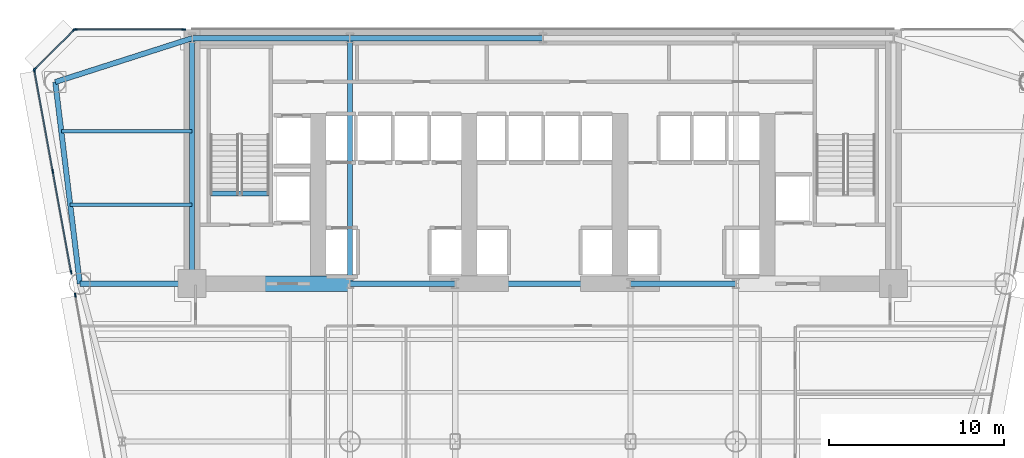
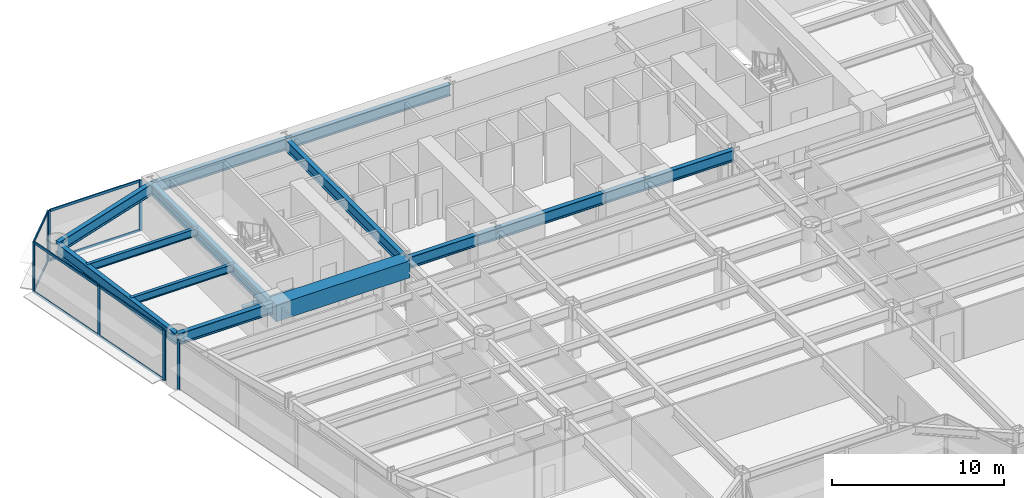
# One storey, part 5 of 14: 16 members, 14 beams, 4 elements without a shape of their own.
"""IFC4 building model written with IfcOpenShell, lengths in metres."""

from ifc_helpers import new_model, si_unit, direction, frame, origin, origin_2d, place, context, subcontext, project, spatial, rectangle, i_section, extrude, source, transform, mapped, material, layer, layer_set, material_profile, profile_set, type_object, element, aggregate, save


model = new_model("IFC4")

# Units and contexts
model_context = context("Model", 3, precision=1e-05, world=origin(), true_north=direction((0.0, 1.0)))
body_context = subcontext(model_context, "Body", "Model", "MODEL_VIEW")
ifc_project = project(units=[si_unit("LENGTHUNIT", "METRE"), si_unit("AREAUNIT", "SQUARE_METRE"), si_unit("VOLUMEUNIT", "CUBIC_METRE"), si_unit("PLANEANGLEUNIT", "RADIAN"), si_unit("MASSUNIT", "GRAM", prefix="KILO")], contexts=[model_context])

# Site, building, storey
site_placement = place(None, origin())
site = spatial("IfcSite", under=ifc_project, at=site_placement, CompositionType="ELEMENT")
building_placement = place(site_placement, origin())
building = spatial("IfcBuilding", under=site, at=building_placement, Name="Vaeldorn Concourse Tower", CompositionType="ELEMENT")
storey_placement = place(building_placement, frame((0.0, 0.0, 53.0)))
storey = spatial("IfcBuildingStorey", under=building, at=storey_placement, Name="L13", CompositionType="ELEMENT", Elevation=53.0)

# Beams
ifc_material_1 = material(Name="Concrete C60/75", Category="concrete")
ifc_material_profile_1 = material_profile(ifc_material_1, rectangle(XDim=0.89990234375, YDim=1.199951171875, at=origin_2d()), Name="RC 900x1200")
ifc_profile_set_1 = profile_set([ifc_material_profile_1], Name="Concrete C60/75")
beam_type_1 = type_object("IfcBeamType", Name="BM-CB-RC900", PredefinedType="BEAM", material=ifc_profile_set_1)
shared_shape_1 = source(origin(), body_context, "Body", "SweptSolid", [
    extrude(rectangle(XDim=0.89990234375, YDim=1.199951171875, at=origin_2d()), origin(), (0.0, 0.0, 1.0), 9.0),
])
beam_1_placement = place(storey_placement, frame((14.0, 36.5, 2.97998046875), z_axis=(1.0, 0.0, 0.0), x_axis=(0.0, 1.0, 0.0)))
element("IfcBeam", 1, at=beam_1_placement, inside=storey, type_object=beam_type_1, Name="Core Coupling Beam L13-1", PredefinedType="BEAM", context=body_context, shape_type="MappedRepresentation", body=[
    mapped(shared_shape_1, transform((0.0, 0.0, 0.0), scale=1.0)),
])
ifc_material_2 = material(Name="Steel S355", Category="steel")
ifc_material_profile_2 = material_profile(ifc_material_2, i_section(OverallWidth=0.300048828125, OverallDepth=0.340087890625, WebThickness=0.011962890625, FlangeThickness=0.021484375, FilletRadius=0.027099609375, at=origin_2d()), Name="HEB 340")
ifc_profile_set_2 = profile_set([ifc_material_profile_2], Name="Steel S355")
beam_type_2 = type_object("IfcBeamType", Name="BM-ST-TRIM", PredefinedType="BEAM", material=ifc_profile_set_2)
shared_shape_2 = source(origin(), body_context, "Body", "SweptSolid", [
    extrude(i_section(OverallWidth=0.300048828125, OverallDepth=0.340087890625, WebThickness=0.011962890625, FlangeThickness=0.021484375, FilletRadius=0.027099609375, at=origin_2d()), origin(), (0.0, 0.0, 1.0), 3.590087890625),
])
beam_2_placement = place(storey_placement, frame((14.929931640625, 41.639892578125, -0.389892578125), z_axis=(1.0, 0.0, 0.0), x_axis=(0.0, 1.0, 0.0)))
element("IfcBeam", 2, at=beam_2_placement, inside=storey, type_object=beam_type_2, Name="Stair Landing Trimmer Beam ST-1 L13", PredefinedType="BEAM", context=body_context, shape_type="MappedRepresentation", body=[
    mapped(shared_shape_2, transform((0.0, 0.0, 0.0), scale=1.0)),
])
ifc_material_profile_3 = material_profile(ifc_material_2, i_section(OverallWidth=0.300048828125, OverallDepth=0.800048828125, WebThickness=0.017578125, FlangeThickness=0.032958984375, FilletRadius=0.030029296875, at=origin_2d()), Name="HEB 800")
ifc_profile_set_3 = profile_set([ifc_material_profile_3], Name="Steel S355")
beam_type_3 = type_object("IfcBeamType", Name="BM-PG-HEB800", PredefinedType="BEAM", material=ifc_profile_set_3)
shared_shape_3 = source(origin(), body_context, "Body", "SweptSolid", [
    extrude(i_section(OverallWidth=0.300048828125, OverallDepth=0.800048828125, WebThickness=0.017578125, FlangeThickness=0.032958984375, FilletRadius=0.030029296875, at=origin_2d()), origin(), (0.0, 0.0, 1.0), 6.0),
])
for number, where, z_axis, x_axis, name in (
    (3, (23.0, 36.5, 3.179931640625), (1.0, 0.0, 0.0), (0.0, 1.0, 0.0), "Beam BM-L13-C-FC2-C-FC3"),
    (4, (39.0, 36.5, 3.179931640625), (1.0, 0.0, 0.0), (0.0, 1.0, 0.0), "Beam BM-L13-C-FC4-C-FC5"),
):
    element("IfcBeam", number, at=place(storey_placement, frame(where, z_axis=z_axis, x_axis=x_axis)), inside=storey, type_object=beam_type_3, Name=name, PredefinedType="BEAM", context=body_context, shape_type="MappedRepresentation", body=[
        mapped(shared_shape_3, transform((0.0, 0.0, 0.0), scale=1.0)),
    ])
shared_shape_4 = source(origin(), body_context, "Body", "SweptSolid", [
    extrude(i_section(OverallWidth=0.300048828125, OverallDepth=0.800048828125, WebThickness=0.017578125, FlangeThickness=0.032958984375, FilletRadius=0.030029296875, at=origin_2d()), origin(), (0.0, 0.0, 1.0), 10.0),
])
beam_3_placement = place(storey_placement, frame((29.0, 36.5, 3.179931640625), z_axis=(1.0, 0.0, 0.0), x_axis=(0.0, 1.0, 0.0)))
element("IfcBeam", 5, at=beam_3_placement, inside=storey, type_object=beam_type_3, Name="Beam BM-L13-C-FC3-C-FC4", PredefinedType="BEAM", context=body_context, shape_type="MappedRepresentation", body=[
    mapped(shared_shape_4, transform((0.0, 0.0, 0.0), scale=1.0)),
])
shared_shape_5 = source(origin(), body_context, "Body", "SweptSolid", [
    extrude(i_section(OverallWidth=0.300048828125, OverallDepth=0.800048828125, WebThickness=0.017578125, FlangeThickness=0.032958984375, FilletRadius=0.030029296875, at=origin_2d()), origin(), (0.0, 0.0, 1.0), 9.0),
])
beam_4_placement = place(storey_placement, frame((14.0, 50.5, 3.179931640625), z_axis=(1.0, 0.0, 0.0), x_axis=(0.0, 1.0, 0.0)))
element("IfcBeam", 6, at=beam_4_placement, inside=storey, type_object=beam_type_3, Name="Beam BM-L13-C-HC1-C-HC2", PredefinedType="BEAM", context=body_context, shape_type="MappedRepresentation", body=[
    mapped(shared_shape_5, transform((0.0, 0.0, 0.0), scale=1.0)),
])
shared_shape_6 = source(origin(), body_context, "Body", "SweptSolid", [
    extrude(i_section(OverallWidth=0.300048828125, OverallDepth=0.800048828125, WebThickness=0.017578125, FlangeThickness=0.032958984375, FilletRadius=0.030029296875, at=origin_2d()), origin(), (0.0, 0.0, 1.0), 11.0),
])
beam_5_placement = place(storey_placement, frame((23.0, 50.5, 3.179931640625), z_axis=(1.0, 0.0, 0.0), x_axis=(0.0, 1.0, 0.0)))
element("IfcBeam", 7, at=beam_5_placement, inside=storey, type_object=beam_type_3, Name="Beam BM-L13-C-HC2-C-HC3", PredefinedType="BEAM", context=body_context, shape_type="MappedRepresentation", body=[
    mapped(shared_shape_6, transform((0.0, 0.0, 0.0), scale=1.0)),
])
shared_shape_7 = source(origin(), body_context, "Body", "SweptSolid", [
    extrude(i_section(OverallWidth=0.300048828125, OverallDepth=0.800048828125, WebThickness=0.017578125, FlangeThickness=0.032958984375, FilletRadius=0.030029296875, at=origin_2d()), origin(), (0.0, 0.0, 1.0), 14.0),
])
for number, where, z_axis, x_axis, name in (
    (8, (14.0, 36.5, 3.179931640625), (0.0, 1.0, 0.0), (-1.0, 0.0, 0.0), "Beam BM-L13-C-FC1-C-HC1"),
    (9, (23.0, 36.5, 3.179931640625), (0.0, 1.0, 0.0), (-1.0, 0.0, 0.0), "Beam BM-L13-C-FC2-C-HC2"),
):
    element("IfcBeam", number, at=place(storey_placement, frame(where, z_axis=z_axis, x_axis=x_axis)), inside=storey, type_object=beam_type_3, Name=name, PredefinedType="BEAM", context=body_context, shape_type="MappedRepresentation", body=[
        mapped(shared_shape_7, transform((0.0, 0.0, 0.0), scale=1.0)),
    ])
shared_shape_8 = source(origin(), body_context, "Body", "SweptSolid", [
    extrude(i_section(OverallWidth=0.300048828125, OverallDepth=0.800048828125, WebThickness=0.017578125, FlangeThickness=0.032958984375, FilletRadius=0.030029296875, at=origin_2d()), origin(), (0.0, 0.0, 1.0), 8.19091796875),
])
beam_6_placement = place(storey_placement, frame((6.199951171875, 48.0, 3.179931640625), z_axis=(0.952282843383, 0.305216949396, 0.0), x_axis=(-0.305216949396, 0.952282843383, 0.0)))
element("IfcBeam", 10, at=beam_6_placement, inside=storey, type_object=beam_type_3, Name="Beam BM-L13-C-NW1-C-HC1", PredefinedType="BEAM", context=body_context, shape_type="MappedRepresentation", body=[
    mapped(shared_shape_8, transform((0.0, 0.0, 0.0), scale=1.0)),
])
shared_shape_9 = source(origin(), body_context, "Body", "SweptSolid", [
    extrude(i_section(OverallWidth=0.300048828125, OverallDepth=0.800048828125, WebThickness=0.017578125, FlangeThickness=0.032958984375, FilletRadius=0.030029296875, at=origin_2d()), origin(), (0.0, 0.0, 1.0), 11.5849609375),
])
beam_7_placement = place(storey_placement, frame((6.199951171875, 48.0, 3.179931640625), z_axis=(0.120859382899, -0.992669637677, 0.0), x_axis=(0.992669637677, 0.120859382899, 0.0)))
element("IfcBeam", 11, at=beam_7_placement, inside=storey, type_object=beam_type_3, Name="Beam BM-L13-C-NW1-C-NW2", PredefinedType="BEAM", context=body_context, shape_type="MappedRepresentation", body=[
    mapped(shared_shape_9, transform((0.0, 0.0, 0.0), scale=1.0)),
])
shared_shape_10 = source(origin(), body_context, "Body", "SweptSolid", [
    extrude(i_section(OverallWidth=0.300048828125, OverallDepth=0.800048828125, WebThickness=0.017578125, FlangeThickness=0.032958984375, FilletRadius=0.030029296875, at=origin_2d()), origin(), (0.0, 0.0, 1.0), 6.39990234375),
])
beam_8_placement = place(storey_placement, frame((7.60009765625, 36.5, 3.179931640625), z_axis=(1.0, 0.0, 0.0), x_axis=(0.0, 1.0, 0.0)))
element("IfcBeam", 12, at=beam_8_placement, inside=storey, type_object=beam_type_3, Name="Beam BM-L13-C-NW2-C-FC1", PredefinedType="BEAM", context=body_context, shape_type="MappedRepresentation", body=[
    mapped(shared_shape_10, transform((0.0, 0.0, 0.0), scale=1.0)),
])
ifc_material_profile_4 = material_profile(ifc_material_2, i_section(OverallWidth=0.2099609375, OverallDepth=0.550048828125, WebThickness=0.010986328125, FlangeThickness=0.01708984375, FilletRadius=0.02392578125, at=origin_2d()), Name="IPE 550")
ifc_profile_set_4 = profile_set([ifc_material_profile_4], Name="Steel S355")
beam_type_4 = type_object("IfcBeamType", Name="BM-JS-IPE550", PredefinedType="JOIST", material=ifc_profile_set_4)
shared_shape_11 = source(origin(), body_context, "Body", "SweptSolid", [
    extrude(i_section(OverallWidth=0.2099609375, OverallDepth=0.550048828125, WebThickness=0.010986328125, FlangeThickness=0.01708984375, FilletRadius=0.02392578125, at=origin_2d()), origin(), (0.0, 0.0, 1.0), 6.94775390625),
])
beam_9_placement = place(storey_placement, frame((7.05224609375, 41.0, 3.304931640625), z_axis=(1.0, 0.0, 0.0), x_axis=(0.0, 1.0, 0.0)))
element("IfcBeam", 13, at=beam_9_placement, inside=storey, type_object=beam_type_4, Name="Beam JS-L13-NW-410", PredefinedType="JOIST", context=body_context, shape_type="MappedRepresentation", body=[
    mapped(shared_shape_11, transform((0.0, 0.0, 0.0), scale=1.0)),
])
shared_shape_12 = source(origin(), body_context, "Body", "SweptSolid", [
    extrude(i_section(OverallWidth=0.2099609375, OverallDepth=0.550048828125, WebThickness=0.010986328125, FlangeThickness=0.01708984375, FilletRadius=0.02392578125, at=origin_2d()), origin(), (0.0, 0.0, 1.0), 7.458984375),
])
beam_10_placement = place(storey_placement, frame((6.541015625, 45.199951171875, 3.304931640625), z_axis=(1.0, 0.0, 0.0), x_axis=(0.0, 1.0, 0.0)))
element("IfcBeam", 14, at=beam_10_placement, inside=storey, type_object=beam_type_4, Name="Beam JS-L13-NW-452", PredefinedType="JOIST", context=body_context, shape_type="MappedRepresentation", body=[
    mapped(shared_shape_12, transform((0.0, 0.0, 0.0), scale=1.0)),
])

# Curtain wall, members
ifc_material_3 = material(Name="Anodised Bronze Aluminium", Category="aluminium")
ifc_layer = layer(ifc_material_3, 0.219970703125)
ifc_layer_set = layer_set([ifc_layer], Name="Anodised Bronze Aluminium")
curtain_wall_type = type_object("IfcCurtainWallType", Name="CW-SYS-01", PredefinedType="NOTDEFINED", material=ifc_layer_set)
curtain_wall_1_placement = place(storey_placement, origin())
curtain_wall_1 = element("IfcCurtainWall", 15, at=curtain_wall_1_placement, inside=storey, type_object=curtain_wall_type, Name="Unitised Curtain Wall CW-L13-E10-1", PredefinedType="NOTDEFINED")
ifc_material_profile_5 = material_profile(ifc_material_3, rectangle(XDim=0.074951171875, YDim=0.179931640625, at=origin_2d()), Name="CWT 75x180")
ifc_profile_set_5 = profile_set([ifc_material_profile_5], Name="Anodised Bronze Aluminium")
member_type_1 = type_object("IfcMemberType", Name="CWT-BRONZE-180", PredefinedType="USERDEFINED", material=ifc_profile_set_5)
shared_shape_13 = source(origin(), body_context, "Body", "SweptSolid", [
    extrude(rectangle(XDim=0.074951171875, YDim=0.179931640625, at=origin_2d()), origin(), (0.0, 0.0, 1.0), 3.10302734375),
])
member_1_placement = place(storey_placement, frame((7.2470703125, 50.947021484375, 0.03759765625), z_axis=(-0.707106781187, -0.707106781187, 0.0), x_axis=(0.707106781187, -0.707106781187, 0.0)))
member_1 = element("IfcMember", 16, at=member_1_placement, type_object=member_type_1, Name="CW-01 transom 1.1", ObjectType="TRANSOM", PredefinedType="USERDEFINED", context=body_context, shape_type="MappedRepresentation", body=[
    mapped(shared_shape_13, transform((0.0, 0.0, 0.0), scale=1.0)),
])
member_2_placement = place(storey_placement, frame((7.2470703125, 50.947021484375, 3.54248046875), z_axis=(-0.707106781187, -0.707106781187, 0.0), x_axis=(0.707106781187, -0.707106781187, 0.0)))
member_2 = element("IfcMember", 17, at=member_2_placement, type_object=member_type_1, Name="CW-01 transom 1.2", ObjectType="TRANSOM", PredefinedType="USERDEFINED", context=body_context, shape_type="MappedRepresentation", body=[
    mapped(shared_shape_13, transform((0.0, 0.0, 0.0), scale=1.0)),
])

curtain_wall_2_placement = place(storey_placement, origin())
curtain_wall_2 = element("IfcCurtainWall", 18, at=curtain_wall_2_placement, inside=storey, type_object=curtain_wall_type, Name="Unitised Curtain Wall CW-L13-E09-2", PredefinedType="NOTDEFINED")
shared_shape_14 = source(origin(), body_context, "Body", "SweptSolid", [
    extrude(rectangle(XDim=0.074951171875, YDim=0.179931640625, at=origin_2d()), origin(), (0.0, 0.0, 1.0), 6.10498046875),
])
member_3_placement = place(storey_placement, frame((13.47998046875, 51.0, 0.03759765625), z_axis=(-1.0, 0.0, 0.0), x_axis=(0.0, -1.0, 0.0)))
member_3 = element("IfcMember", 19, at=member_3_placement, type_object=member_type_1, Name="CW-01 transom 1.1", ObjectType="TRANSOM", PredefinedType="USERDEFINED", context=body_context, shape_type="MappedRepresentation", body=[
    mapped(shared_shape_14, transform((0.0, 0.0, 0.0), scale=1.0)),
])
member_4_placement = place(storey_placement, frame((13.47998046875, 51.0, 3.54248046875), z_axis=(-1.0, 0.0, 0.0), x_axis=(0.0, -1.0, 0.0)))
member_4 = element("IfcMember", 20, at=member_4_placement, type_object=member_type_1, Name="CW-01 transom 1.2", ObjectType="TRANSOM", PredefinedType="USERDEFINED", context=body_context, shape_type="MappedRepresentation", body=[
    mapped(shared_shape_14, transform((0.0, 0.0, 0.0), scale=1.0)),
])
ifc_material_profile_6 = material_profile(ifc_material_3, rectangle(XDim=0.074951171875, YDim=0.219970703125, at=origin_2d()), Name="CWM 75x220")
ifc_profile_set_6 = profile_set([ifc_material_profile_6], Name="Anodised Bronze Aluminium")
member_type_2 = type_object("IfcMemberType", Name="CWM-BRONZE-220", PredefinedType="MULLION", material=ifc_profile_set_6)
shared_shape_15 = source(origin(), body_context, "Body", "SweptSolid", [
    extrude(rectangle(XDim=0.074951171875, YDim=0.219970703125, at=origin_2d()), origin(), (0.0, 0.0, 1.0), 3.580078125),
])
member_5_placement = place(storey_placement, frame((13.517578125, 51.0, 0.0), z_axis=(0.0, 0.0, 1.0), x_axis=(0.0, -1.0, 0.0)))
member_5 = element("IfcMember", 21, at=member_5_placement, type_object=member_type_2, Name="CW-01 mullion 1", PredefinedType="MULLION", context=body_context, shape_type="MappedRepresentation", body=[
    mapped(shared_shape_15, transform((0.0, 0.0, 0.0), scale=1.0)),
])
member_6_placement = place(storey_placement, frame((7.33740234375, 51.0, 0.0), z_axis=(0.0, 0.0, 1.0), x_axis=(0.0, -1.0, 0.0)))
member_6 = element("IfcMember", 22, at=member_6_placement, type_object=member_type_2, Name="CW-01 mullion 2", PredefinedType="MULLION", context=body_context, shape_type="MappedRepresentation", body=[
    mapped(shared_shape_15, transform((0.0, 0.0, 0.0), scale=1.0)),
])
aggregate(curtain_wall_2, [member_5, member_6, member_3, member_4])

# Member
member_7_placement = place(storey_placement, frame((7.2734375, 50.973388671875, 0.0), z_axis=(0.0, 0.0, 1.0), x_axis=(0.707106781187, -0.707106781187, 0.0)))
member_7 = element("IfcMember", 23, at=member_7_placement, type_object=member_type_2, Name="CW-01 mullion 1", PredefinedType="MULLION", context=body_context, shape_type="MappedRepresentation", body=[
    mapped(shared_shape_15, transform((0.0, 0.0, 0.0), scale=1.0)),
])

member_8_placement = place(storey_placement, frame((5.026611328125, 48.7265625, 0.0), z_axis=(0.0, 0.0, 1.0), x_axis=(0.707106781187, -0.707106781187, 0.0)))
member_8 = element("IfcMember", 24, at=member_8_placement, type_object=member_type_2, Name="CW-01 mullion 2", PredefinedType="MULLION", context=body_context, shape_type="MappedRepresentation", body=[
    mapped(shared_shape_15, transform((0.0, 0.0, 0.0), scale=1.0)),
])

aggregate(curtain_wall_1, [member_7, member_8, member_1, member_2])

# Curtain wall, members
curtain_wall_3_placement = place(storey_placement, origin())
curtain_wall_3 = element("IfcCurtainWall", 25, at=curtain_wall_3_placement, inside=storey, type_object=curtain_wall_type, Name="Unitised Curtain Wall CW-L13-E11-1", PredefinedType="NOTDEFINED")
member_9_placement = place(storey_placement, frame((5.0068359375, 48.6630859375, 0.0), z_axis=(0.0, 0.0, 1.0), x_axis=(0.983812226103, 0.179202410057, 0.0)))
member_9 = element("IfcMember", 26, at=member_9_placement, type_object=member_type_2, Name="CW-01 mullion 1", PredefinedType="MULLION", context=body_context, shape_type="MappedRepresentation", body=[
    mapped(shared_shape_15, transform((0.0, 0.0, 0.0), scale=1.0)),
])
member_10_placement = place(storey_placement, frame((6.0546875, 42.90966796875, 0.0), z_axis=(0.0, 0.0, 1.0), x_axis=(0.983812226103, 0.179202410057, 0.0)))
member_10 = element("IfcMember", 27, at=member_10_placement, type_object=member_type_2, Name="CW-01 mullion 2", PredefinedType="MULLION", context=body_context, shape_type="MappedRepresentation", body=[
    mapped(shared_shape_15, transform((0.0, 0.0, 0.0), scale=1.0)),
])
member_11_placement = place(storey_placement, frame((7.102783203125, 37.156494140625, 0.0), z_axis=(0.0, 0.0, 1.0), x_axis=(0.983812226103, 0.179202410057, 0.0)))
member_11 = element("IfcMember", 28, at=member_11_placement, type_object=member_type_2, Name="CW-01 mullion 3", PredefinedType="MULLION", context=body_context, shape_type="MappedRepresentation", body=[
    mapped(shared_shape_15, transform((0.0, 0.0, 0.0), scale=1.0)),
])

# Curtain wall, member
curtain_wall_4_placement = place(storey_placement, origin())
curtain_wall_4 = element("IfcCurtainWall", 29, at=curtain_wall_4_placement, inside=storey, type_object=curtain_wall_type, Name="Unitised Curtain Wall CW-L13-E11-2", PredefinedType="NOTDEFINED")
member_12_placement = place(storey_placement, frame((7.341796875, 35.843505859375, 0.0), z_axis=(0.0, 0.0, 1.0), x_axis=(0.983811609564, 0.179205794791, 0.0)))
member_12 = element("IfcMember", 30, at=member_12_placement, type_object=member_type_2, Name="CW-01 mullion 1", PredefinedType="MULLION", context=body_context, shape_type="MappedRepresentation", body=[
    mapped(shared_shape_15, transform((0.0, 0.0, 0.0), scale=1.0)),
])
aggregate(curtain_wall_4, [member_12])

# Member
shared_shape_16 = source(origin(), body_context, "Body", "SweptSolid", [
    extrude(rectangle(XDim=0.074951171875, YDim=0.179931640625, at=origin_2d()), origin(), (0.0, 0.0, 1.0), 5.77294921875),
])
member_13_placement = place(storey_placement, frame((6.0615234375, 42.872802734375, 0.03759765625), z_axis=(0.179186879905, -0.98381505481, 0.0), x_axis=(0.98381505481, 0.179186879905, 0.0)))
member_13 = element("IfcMember", 31, at=member_13_placement, type_object=member_type_1, Name="CW-01 transom 2.1", ObjectType="TRANSOM", PredefinedType="USERDEFINED", context=body_context, shape_type="MappedRepresentation", body=[
    mapped(shared_shape_16, transform((0.0, 0.0, 0.0), scale=1.0)),
])

member_14_placement = place(storey_placement, frame((6.0615234375, 42.872802734375, 3.54248046875), z_axis=(0.179186879905, -0.98381505481, 0.0), x_axis=(0.98381505481, 0.179186879905, 0.0)))
member_14 = element("IfcMember", 32, at=member_14_placement, type_object=member_type_1, Name="CW-01 transom 2.2", ObjectType="TRANSOM", PredefinedType="USERDEFINED", context=body_context, shape_type="MappedRepresentation", body=[
    mapped(shared_shape_16, transform((0.0, 0.0, 0.0), scale=1.0)),
])

shared_shape_17 = source(origin(), body_context, "Body", "SweptSolid", [
    extrude(rectangle(XDim=0.074951171875, YDim=0.179931640625, at=origin_2d()), origin(), (0.0, 0.0, 1.0), 5.773193359375),
])
member_15_placement = place(storey_placement, frame((5.013427734375, 48.626220703125, 0.03759765625), z_axis=(0.179220355919, -0.983808957077, 0.0), x_axis=(0.983808957077, 0.179220355919, 0.0)))
member_15 = element("IfcMember", 33, at=member_15_placement, type_object=member_type_1, Name="CW-01 transom 1.1", ObjectType="TRANSOM", PredefinedType="USERDEFINED", context=body_context, shape_type="MappedRepresentation", body=[
    mapped(shared_shape_17, transform((0.0, 0.0, 0.0), scale=1.0)),
])

member_16_placement = place(storey_placement, frame((5.013427734375, 48.626220703125, 3.54248046875), z_axis=(0.179220355919, -0.983808957077, 0.0), x_axis=(0.983808957077, 0.179220355919, 0.0)))
member_16 = element("IfcMember", 34, at=member_16_placement, type_object=member_type_1, Name="CW-01 transom 1.2", ObjectType="TRANSOM", PredefinedType="USERDEFINED", context=body_context, shape_type="MappedRepresentation", body=[
    mapped(shared_shape_17, transform((0.0, 0.0, 0.0), scale=1.0)),
])

aggregate(curtain_wall_3, [member_9, member_10, member_11, member_15, member_16, member_13, member_14])

save(model, "model.ifc")
